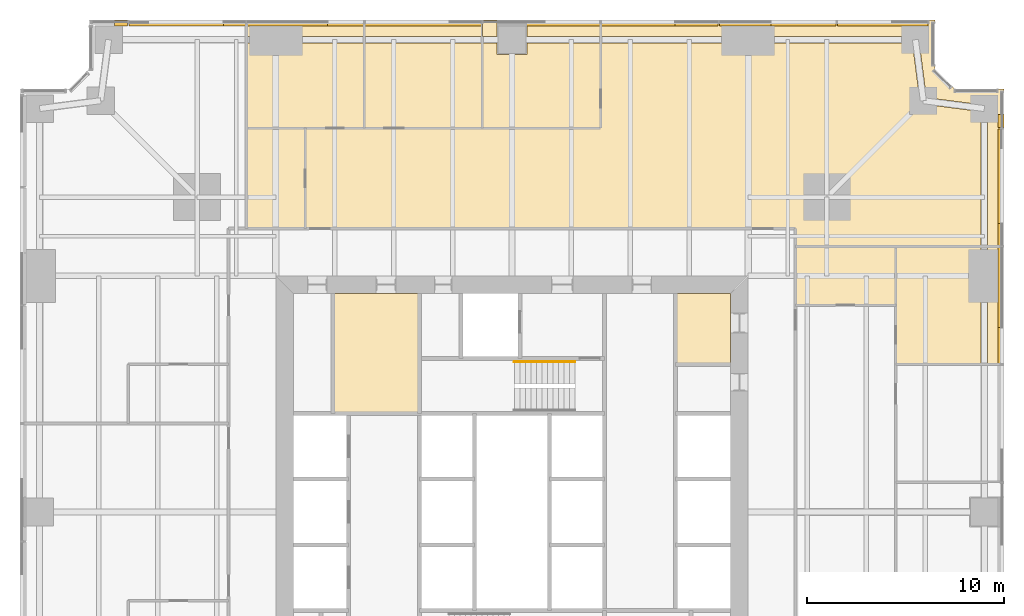
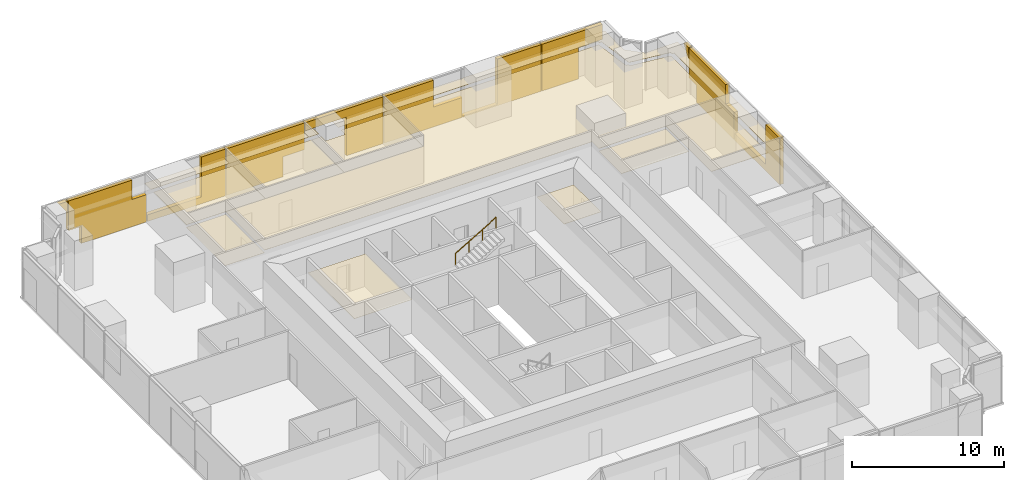
# One storey, part 14 of 14: 26 coverings, 1 railing.
"""IFC4 building model written with IfcOpenShell, lengths in metres."""

import ifcopenshell
import ifcopenshell.guid

model = None  # the IFC model being written
_history = None  # IfcOwnerHistory: only IFC2X3 demands one
_inside = {}  # id of a spatial element -> (the spatial element, [elements in it])
_under = {}  # id of a project, library or spatial element -> (it, [spatial elements below it])
_declared = {}  # id of a project -> (the project, [libraries it declares])
_typed = {}  # id of a type object -> (the type object, [elements of that type])
_made_of = {}  # id of a material, layer set ... -> (it, [elements and type objects made of it])


def new_model(schema):
    """Start an empty IFC model of exactly this schema.

    Asked for "IFC4X3", IfcOpenShell would pick the latest addendum, in which some entities
    have other attributes; the version numbers below select the first issue.
    IFC2X3 requires an IfcOwnerHistory on every rooted entity: one is made here for all.
    """
    global model, _history
    if schema == "IFC4X3":
        model = ifcopenshell.file(schema_version=(4, 3, 0, 0))
    else:
        model = ifcopenshell.file(schema=schema)
    _inside.clear()
    _under.clear()
    _declared.clear()
    _typed.clear()
    _made_of.clear()
    _history = None
    if model.schema == "IFC2X3":
        org = make("IfcOrganization", Name="unknown")
        user = make(
            "IfcPersonAndOrganization",
            ThePerson=make("IfcPerson", FamilyName="unknown"),
            TheOrganization=org,
        )
        app = make(
            "IfcApplication",
            ApplicationDeveloper=org,
            Version="unknown",
            ApplicationFullName="unknown",
            ApplicationIdentifier="unknown",
        )
        _history = make(
            "IfcOwnerHistory",
            OwningUser=user,
            OwningApplication=app,
            ChangeAction="ADDED",
            CreationDate=0,
        )
    return model


def make(cls, **values):
    """One entity of the class cls with the attributes given. An attribute that is None is left unset."""
    return model.create_entity(
        cls, **{name: value for name, value in values.items() if value is not None}
    )


def rooted(cls, **values):
    """An entity with a GlobalId (a new one), such as an element, a storey or a relation."""
    return make(cls, GlobalId=ifcopenshell.guid.new(), OwnerHistory=_history, **values)


def si_unit(unit_type, name, prefix=None):
    """IfcSIUnit, for example si_unit("LENGTHUNIT", "METRE", prefix="MILLI")."""
    return make("IfcSIUnit", UnitType=unit_type, Prefix=prefix, Name=name)


def assignment(units):
    """IfcUnitAssignment: the units of a project."""
    return None if units is None else make("IfcUnitAssignment", Units=units)


def point(xyz):
    """IfcCartesianPoint."""
    return None if xyz is None else make("IfcCartesianPoint", Coordinates=xyz)


def direction(xyz):
    """IfcDirection."""
    return None if xyz is None else make("IfcDirection", DirectionRatios=xyz)


def frame(location, z_axis=None, x_axis=None):
    """IfcAxis2Placement3D, a coordinate frame: its origin and axes. An axis left out is left unset."""
    return make(
        "IfcAxis2Placement3D",
        Location=point(location),
        Axis=direction(z_axis),
        RefDirection=direction(x_axis),
    )


def frame_2d(location, x_axis=None):
    """IfcAxis2Placement2D, a coordinate frame in the plane: its origin and x axis."""
    return make(
        "IfcAxis2Placement2D", Location=point(location), RefDirection=direction(x_axis)
    )


def origin():
    """The frame at (0, 0, 0) with its axes left unset."""
    return frame((0.0, 0.0, 0.0))


def origin_2d():
    """The frame at (0, 0) in the plane with its x axis left unset."""
    return frame_2d((0.0, 0.0))


def place(relative_to, where):
    """IfcLocalPlacement: puts the frame where relative to a parent placement (None: the world)."""
    return make(
        "IfcLocalPlacement", PlacementRelTo=relative_to, RelativePlacement=where
    )


def context(
    kind, dimensions, precision=None, world=None, true_north=None, identifier=None
):
    """IfcGeometricRepresentationContext, for example the 3D "Model" context."""
    return make(
        "IfcGeometricRepresentationContext",
        ContextIdentifier=identifier,
        ContextType=kind,
        CoordinateSpaceDimension=dimensions,
        Precision=precision,
        WorldCoordinateSystem=world,
        TrueNorth=true_north,
    )


def subcontext(parent, identifier, kind, view, scale=None):
    """IfcGeometricRepresentationSubContext, for example "Body" below "Model"."""
    return make(
        "IfcGeometricRepresentationSubContext",
        ContextIdentifier=identifier,
        ContextType=kind,
        ParentContext=parent,
        TargetScale=scale,
        TargetView=view,
    )


def project(units=None, contexts=None):
    """IfcProject with its units and contexts."""
    return rooted(
        "IfcProject",
        Name="project",
        RepresentationContexts=contexts,
        UnitsInContext=assignment(units),
    )


def spatial(cls, under=None, at=None, **own):
    """A site, building, storey or space (cls), placed at a placement, below another one or the project."""
    s = rooted(cls, ObjectPlacement=at, **own)
    if under is not None:
        _under.setdefault(under.id(), (under, []))[1].append(s)
    return s


def polyline(points):
    """IfcPolyline through the points."""
    return make("IfcPolyline", Points=[point(p) for p in points])


def profile(cls, at=None, kind="AREA", **sizes):
    """A parametric profile (cls). Its sizes go by their IFC names, for example OverallWidth=200.0."""
    return make(cls, ProfileType=kind, Position=at, **sizes)


def circle(**sizes):
    """IfcCircleProfileDef."""
    return profile("IfcCircleProfileDef", **sizes)


def outline(outer, holes=None, kind="AREA"):
    """IfcArbitraryClosedProfileDef: a profile drawn as a closed curve; with holes, ...WithVoids."""
    if holes is None:
        return make("IfcArbitraryClosedProfileDef", ProfileType=kind, OuterCurve=outer)
    return make(
        "IfcArbitraryProfileDefWithVoids",
        ProfileType=kind,
        OuterCurve=outer,
        InnerCurves=holes,
    )


def extrude(swept, where, along, depth):
    """IfcExtrudedAreaSolid: the profile swept, set in the frame where, extruded along a direction by depth."""
    return make(
        "IfcExtrudedAreaSolid",
        SweptArea=swept,
        Position=where,
        ExtrudedDirection=direction(along),
        Depth=depth,
    )


def shape(context_of_items, identifier, shape_type, items):
    """IfcShapeRepresentation: the items that make up one representation, for example the "Body"."""
    return make(
        "IfcShapeRepresentation",
        ContextOfItems=context_of_items,
        RepresentationIdentifier=identifier,
        RepresentationType=shape_type,
        Items=items,
    )


def material(Name=None, Category=None):
    """IfcMaterial."""
    return make("IfcMaterial", Name=Name, Category=Category)


def layer(
    of_material, thickness, ventilated=None, Name=None, Category=None, Priority=None
):
    """IfcMaterialLayer: one layer of a wall or slab, of a material (None: an air gap)."""
    return make(
        "IfcMaterialLayer",
        Material=of_material,
        LayerThickness=thickness,
        IsVentilated=ventilated,
        Name=Name,
        Category=Category,
        Priority=Priority,
    )


def layer_set(layers, Name=None):
    """IfcMaterialLayerSet."""
    return make("IfcMaterialLayerSet", MaterialLayers=layers, LayerSetName=Name)


def made_of(thing, what):
    """Note that an element or type object is made of a material, layer set ...; save() writes the relation."""
    if what is not None:
        _made_of.setdefault(what.id(), (what, []))[1].append(thing)
    return thing


def type_object(cls, material=None, **own):
    """A type object (cls), such as IfcWallType, which elements share."""
    return made_of(rooted(cls, **own), material)


def element(
    cls,
    number,
    at=None,
    inside=None,
    cuts=None,
    type_object=None,
    material=None,
    context=None,
    identifier="Body",
    shape_type=None,
    held_by="IfcProductDefinitionShape",
    body=None,
    shapes=None,
    **own,
):
    """One element of the class cls, such as IfcWall. Its Tag is "e" and its number.

    at: its placement. inside: the storey or other place that contains it. cuts: it is an
    opening in that element (IfcRelVoidsElement). A single representation is given by context,
    identifier, shape_type and body (its items); several are given by shapes. held_by: the class
    of the entity that holds the representations. save() writes the other relations.
    """
    e = rooted(cls, Tag="e%d" % number, ObjectPlacement=at, **own)
    if body is not None:
        shapes = [shape(context, identifier, shape_type, body)]
    if shapes is not None:
        e.Representation = make(held_by, Representations=shapes)
    if inside is not None:
        _inside.setdefault(inside.id(), (inside, []))[1].append(e)
    if cuts is not None:
        rooted(
            "IfcRelVoidsElement", RelatingBuildingElement=cuts, RelatedOpeningElement=e
        )
    if type_object is not None:
        _typed.setdefault(type_object.id(), (type_object, []))[1].append(e)
    return made_of(e, material)


def aggregate(whole, parts):
    """IfcRelAggregates: a whole, such as a stair, and the parts it consists of."""
    return rooted("IfcRelAggregates", RelatingObject=whole, RelatedObjects=parts)


def save(model, path):
    """Write the relations noted so far, then the file.

    IfcRelAggregates (storeys below a building ...), IfcRelContainedInSpatialStructure (elements
    in a storey), IfcRelDefinesByType, IfcRelAssociatesMaterial and IfcRelDeclares: one each for
    every whole, place, type object, material and project.
    """
    for whole, parts in _under.values():
        aggregate(whole, parts)
    for where, things in _inside.values():
        rooted(
            "IfcRelContainedInSpatialStructure",
            RelatedElements=things,
            RelatingStructure=where,
        )
    for kind, things in _typed.values():
        rooted("IfcRelDefinesByType", RelatedObjects=things, RelatingType=kind)
    for what, things in _made_of.values():
        rooted("IfcRelAssociatesMaterial", RelatedObjects=things, RelatingMaterial=what)
    for by, libraries in _declared.values():
        rooted("IfcRelDeclares", RelatingContext=by, RelatedDefinitions=libraries)
    model.write(path)


model = new_model("IFC4")

# Units and contexts
model_context = context("Model", 3, precision=1e-05, world=origin(), true_north=direction((0.0, 1.0)))
body_context = subcontext(model_context, "Body", "Model", "MODEL_VIEW")
ifc_project = project(units=[si_unit("LENGTHUNIT", "METRE"), si_unit("AREAUNIT", "SQUARE_METRE"), si_unit("VOLUMEUNIT", "CUBIC_METRE"), si_unit("PLANEANGLEUNIT", "RADIAN"), si_unit("MASSUNIT", "GRAM", prefix="KILO")], contexts=[model_context])

# Site, building, storey
site_placement = place(None, origin())
site = spatial("IfcSite", under=ifc_project, at=site_placement, CompositionType="ELEMENT")
building_placement = place(site_placement, origin())
building = spatial("IfcBuilding", under=site, at=building_placement, Name="Fenwick Lantern Interchange", CompositionType="ELEMENT")
storey_placement = place(building_placement, frame((0.0, 0.0, 83.0)))
storey = spatial("IfcBuildingStorey", under=building, at=storey_placement, Name="L19", CompositionType="ELEMENT", Elevation=83.0)

# Coverings
ifc_material_1 = material(Name="Mineral fibre acoustic tile on suspended grid")
ifc_layer_1 = layer(ifc_material_1, 0.02001953125)
ifc_layer_set_1 = layer_set([ifc_layer_1], Name="ACOUSTIC TILE CEILING 20")
covering_type_1 = type_object("IfcCoveringType", Name="ACOUSTIC TILE CEILING 20", PredefinedType="CEILING", material=ifc_layer_set_1)
covering_1_placement = place(storey_placement, frame((0.0, 0.0, 2.89990234375)))
element("IfcCovering", 1, at=covering_1_placement, inside=storey, type_object=covering_type_1, Name="Office ceiling", PredefinedType="CEILING", context=body_context, shape_type="SweptSolid", body=[
    extrude(outline(polyline([(44.5, 32.5), (48.82763671875, 32.5), (48.82763671875, 37.0), (48.82763671875, 38.5), (44.5, 38.5), (44.5, 32.5)])), origin(), (0.0, 0.0, 1.0), 0.02001953125),
])
covering_2_placement = place(storey_placement, frame((0.0, 0.0, 2.89990234375)))
element("IfcCovering", 2, at=covering_2_placement, inside=storey, type_object=covering_type_1, Name="Office ceiling", PredefinedType="CEILING", context=body_context, shape_type="SweptSolid", body=[
    extrude(outline(polyline([(50.0, 38.5), (49.17236328125, 38.5), (49.17236328125, 37.0), (49.17236328125, 32.5), (50.0, 32.5), (50.0, 38.5)])), origin(), (0.0, 0.0, 1.0), 0.02001953125),
])
covering_3_placement = place(storey_placement, frame((0.0, 0.0, 2.89990234375)))
element("IfcCovering", 3, at=covering_3_placement, inside=storey, type_object=covering_type_1, Name="Office suite ceiling", PredefinedType="CEILING", context=body_context, shape_type="SweptSolid", body=[
    extrude(outline(polyline([(39.39990234375, 38.5), (48.82763671875, 38.5), (48.82763671875, 45.348388671875), (45.8779296875, 45.72900390625), (45.89990234375, 45.89990234375), (45.72900390625, 45.8779296875), (45.348388671875, 48.82763671875), (37.0, 48.82763671875), (29.5, 48.82763671875), (29.5, 44.5), (14.5, 44.5), (14.5, 39.39990234375), (39.39990234375, 39.39990234375), (39.39990234375, 38.5)])), origin(), (0.0, 0.0, 1.0), 0.02001953125),
])
covering_4_placement = place(storey_placement, frame((0.0, 0.0, 2.89990234375)))
element("IfcCovering", 4, at=covering_4_placement, inside=storey, type_object=covering_type_1, Name="Office suite ceiling", PredefinedType="CEILING", context=body_context, shape_type="SweptSolid", body=[
    extrude(outline(polyline([(46.5, 50.0), (29.5, 50.0), (29.5, 49.17236328125), (37.0, 49.17236328125), (45.5, 49.17236328125), (45.5, 49.0), (45.6708984375, 49.02197265625), (46.053955078125, 46.053955078125), (49.02197265625, 45.6708984375), (49.0, 45.5), (49.17236328125, 45.5), (49.17236328125, 38.5), (50.0, 38.5), (50.0, 46.5), (47.5, 46.5), (46.5, 47.5), (46.5, 50.0)])), origin(), (0.0, 0.0, 1.0), 0.02001953125),
])
covering_5_placement = place(storey_placement, frame((0.0, 0.0, 2.89990234375)))
element("IfcCovering", 5, at=covering_5_placement, inside=storey, type_object=covering_type_1, Name="Office ceiling", PredefinedType="CEILING", context=body_context, shape_type="SweptSolid", body=[
    extrude(outline(polyline([(29.5, 44.5), (29.5, 48.82763671875), (25.75, 48.82763671875), (25.75, 48.25), (24.25, 48.25), (24.25, 48.82763671875), (23.5, 48.82763671875), (23.5, 44.5), (29.5, 44.5)])), origin(), (0.0, 0.0, 1.0), 0.02001953125),
])
covering_6_placement = place(storey_placement, frame((0.0, 0.0, 2.89990234375)))
element("IfcCovering", 6, at=covering_6_placement, inside=storey, type_object=covering_type_1, Name="Office ceiling", PredefinedType="CEILING", context=body_context, shape_type="SweptSolid", body=[
    extrude(outline(polyline([(29.5, 49.17236328125), (29.5, 50.0), (25.75, 50.0), (25.75, 49.17236328125), (29.5, 49.17236328125)])), origin(), (0.0, 0.0, 1.0), 0.02001953125),
])
covering_7_placement = place(storey_placement, frame((0.0, 0.0, 2.89990234375)))
element("IfcCovering", 7, at=covering_7_placement, inside=storey, type_object=covering_type_1, Name="Office ceiling", PredefinedType="CEILING", context=body_context, shape_type="SweptSolid", body=[
    extrude(outline(polyline([(23.5, 50.0), (23.5, 49.17236328125), (24.25, 49.17236328125), (24.25, 50.0), (23.5, 50.0)])), origin(), (0.0, 0.0, 1.0), 0.02001953125),
])
covering_8_placement = place(storey_placement, frame((0.0, 0.0, 2.89990234375)))
element("IfcCovering", 8, at=covering_8_placement, inside=storey, type_object=covering_type_1, Name="Meeting room ceiling", PredefinedType="CEILING", context=body_context, shape_type="SweptSolid", body=[
    extrude(outline(polyline([(23.5, 44.5), (23.5, 48.82763671875), (17.5, 48.82763671875), (17.5, 44.5), (23.5, 44.5)])), origin(), (0.0, 0.0, 1.0), 0.02001953125),
])
covering_9_placement = place(storey_placement, frame((0.0, 0.0, 2.89990234375)))
element("IfcCovering", 9, at=covering_9_placement, inside=storey, type_object=covering_type_1, Name="Meeting room ceiling", PredefinedType="CEILING", context=body_context, shape_type="SweptSolid", body=[
    extrude(outline(polyline([(17.5, 50.0), (17.5, 49.17236328125), (23.5, 49.17236328125), (23.5, 50.0), (17.5, 50.0)])), origin(), (0.0, 0.0, 1.0), 0.02001953125),
])
covering_10_placement = place(storey_placement, frame((0.0, 0.0, 2.89990234375)))
element("IfcCovering", 10, at=covering_10_placement, inside=storey, type_object=covering_type_1, Name="Office ceiling", PredefinedType="CEILING", context=body_context, shape_type="SweptSolid", body=[
    extrude(outline(polyline([(17.5, 44.5), (17.5, 48.82763671875), (13.0, 48.82763671875), (11.5, 48.82763671875), (11.5, 44.5), (17.5, 44.5)])), origin(), (0.0, 0.0, 1.0), 0.02001953125),
])
covering_11_placement = place(storey_placement, frame((0.0, 0.0, 2.89990234375)))
element("IfcCovering", 11, at=covering_11_placement, inside=storey, type_object=covering_type_1, Name="Office ceiling", PredefinedType="CEILING", context=body_context, shape_type="SweptSolid", body=[
    extrude(outline(polyline([(11.5, 50.0), (11.5, 49.17236328125), (13.0, 49.17236328125), (17.5, 49.17236328125), (17.5, 50.0), (11.5, 50.0)])), origin(), (0.0, 0.0, 1.0), 0.02001953125),
])
ifc_material_2 = material(Name="Granite cladding, warm grey flamed finish, on aluminium carrier frame", Category="masonry")
ifc_layer_2 = layer(ifc_material_2, 0.300048828125)
ifc_layer_set_2 = layer_set([ifc_layer_2], Name="BRACE CASING PANEL 300")
covering_type_2 = type_object("IfcCoveringType", Name="BRACE CASING PANEL 300", PredefinedType="CLADDING", material=ifc_layer_set_2)
covering_12_placement = place(storey_placement, frame((49.89990234375, 3.60009765625, 0.0), z_axis=(0.0, 0.0, 1.0), x_axis=(0.0, 1.0, 0.0)))
element("IfcCovering", 12, at=covering_12_placement, inside=storey, type_object=covering_type_2, Name="Brace casing 05 bay 05a", PredefinedType="CLADDING", context=body_context, shape_type="SweptSolid", body=[
    extrude(outline(polyline([(28.9326171875, 0.0), (34.867431640625, 0.0), (34.867431640625, 0.5400390625), (30.762451171875, 0.5400390625), (30.762451171875, 3.75), (28.9326171875, 3.75), (28.9326171875, 0.0)])), frame((0.0, 0.2001953125, 0.0), z_axis=(0.0, -1.0, 0.0), x_axis=(1.0, 0.0, 0.0)), (0.0, 0.0, 1.0), 0.300048828125),
])
covering_13_placement = place(storey_placement, frame((49.89990234375, 3.60009765625, 0.0), z_axis=(0.0, 0.0, 1.0), x_axis=(0.0, 1.0, 0.0)))
element("IfcCovering", 13, at=covering_13_placement, inside=storey, type_object=covering_type_2, Name="Brace casing 05 bay 06a", PredefinedType="CLADDING", context=body_context, shape_type="SweptSolid", body=[
    extrude(outline(polyline([(34.9326171875, 0.0), (39.88720703125, 0.0), (39.88720703125, 1.370361328125), (40.867431640625, 1.370361328125), (40.867431640625, 3.75), (36.047607421875, 3.75), (36.047607421875, 2.190185546875), (34.9326171875, 2.190185546875), (34.9326171875, 0.0)])), frame((0.0, 0.2001953125, 0.0), z_axis=(0.0, -1.0, 0.0), x_axis=(1.0, 0.0, 0.0)), (0.0, 0.0, 1.0), 0.300048828125),
])
covering_14_placement = place(storey_placement, frame((49.89990234375, 3.60009765625, 2.83203125), z_axis=(0.0, 0.0, 1.0), x_axis=(0.0, 1.0, 0.0)))
element("IfcCovering", 14, at=covering_14_placement, inside=storey, type_object=covering_type_2, Name="Brace casing 05 bay 07a", PredefinedType="CLADDING", context=body_context, shape_type="SweptSolid", body=[
    extrude(outline(polyline([(40.9326171875, 0.0), (41.589111328125, 0.91796875), (40.9326171875, 0.91796875), (40.9326171875, 0.0)])), frame((0.0, 0.2001953125, 0.0), z_axis=(0.0, -1.0, 0.0), x_axis=(1.0, 0.0, 0.0)), (0.0, 0.0, 1.0), 0.300048828125),
])
covering_15_placement = place(storey_placement, frame((46.39990234375, 49.89990234375, 0.0), z_axis=(0.0, 0.0, 1.0), x_axis=(-1.0, 0.0, 0.0)))
element("IfcCovering", 15, at=covering_15_placement, inside=storey, type_object=covering_type_2, Name="Brace casing 09 bay 00a", PredefinedType="CLADDING", context=body_context, shape_type="SweptSolid", body=[
    extrude(outline(polyline([(2.080078125, 0.0), (4.867431640625, 0.0), (4.867431640625, 3.75), (0.264892578125, 3.75), (0.264892578125, 2.534912109375), (2.080078125, 2.534912109375), (2.080078125, 0.0)])), frame((0.0, 0.2001953125, 0.0), z_axis=(0.0, -1.0, 0.0), x_axis=(1.0, 0.0, 0.0)), (0.0, 0.0, 1.0), 0.300048828125),
])
covering_16_placement = place(storey_placement, frame((46.39990234375, 49.89990234375, 0.0), z_axis=(0.0, 0.0, 1.0), x_axis=(-1.0, 0.0, 0.0)))
element("IfcCovering", 16, at=covering_16_placement, inside=storey, type_object=covering_type_2, Name="Brace casing 09 bay 01a", PredefinedType="CLADDING", context=body_context, shape_type="SweptSolid", body=[
    extrude(outline(polyline([(4.9326171875, 0.0), (10.867431640625, 0.0), (10.867431640625, 0.093505859375), (8.251953125, 0.093505859375), (8.251953125, 3.75), (4.9326171875, 3.75), (4.9326171875, 0.0)])), frame((0.0, 0.2001953125, 0.0), z_axis=(0.0, -1.0, 0.0), x_axis=(1.0, 0.0, 0.0)), (0.0, 0.0, 1.0), 0.300048828125),
])
covering_17_placement = place(storey_placement, frame((46.39990234375, 49.89990234375, 0.0), z_axis=(0.0, 0.0, 1.0), x_axis=(-1.0, 0.0, 0.0)))
element("IfcCovering", 17, at=covering_17_placement, inside=storey, type_object=covering_type_2, Name="Brace casing 09 bay 02a", PredefinedType="CLADDING", context=body_context, shape_type="SweptSolid", body=[
    extrude(outline(polyline([(10.9326171875, 0.0), (16.867431640625, 0.0), (16.867431640625, 3.75), (13.107421875, 3.75), (13.107421875, 1.599365234375), (10.9326171875, 1.599365234375), (10.9326171875, 0.0)])), frame((0.0, 0.2001953125, 0.0), z_axis=(0.0, -1.0, 0.0), x_axis=(1.0, 0.0, 0.0)), (0.0, 0.0, 1.0), 0.300048828125),
])
covering_18_placement = place(storey_placement, frame((46.39990234375, 49.89990234375, 0.0), z_axis=(0.0, 0.0, 1.0), x_axis=(-1.0, 0.0, 0.0)))
element("IfcCovering", 18, at=covering_18_placement, inside=storey, type_object=covering_type_2, Name="Brace casing 09 bay 03a", PredefinedType="CLADDING", context=body_context, shape_type="SweptSolid", body=[
    extrude(outline(polyline([(16.9326171875, 0.0), (19.737548828125, 0.0), (19.737548828125, 3.09912109375), (22.867431640625, 3.09912109375), (22.867431640625, 3.75), (16.9326171875, 3.75), (16.9326171875, 0.0)])), frame((0.0, 0.2001953125, 0.0), z_axis=(0.0, -1.0, 0.0), x_axis=(1.0, 0.0, 0.0)), (0.0, 0.0, 1.0), 0.300048828125),
])
covering_19_placement = place(storey_placement, frame((46.39990234375, 49.89990234375, 0.0), z_axis=(0.0, 0.0, 1.0), x_axis=(-1.0, 0.0, 0.0)))
element("IfcCovering", 19, at=covering_19_placement, inside=storey, type_object=covering_type_2, Name="Brace casing 09 bay 04a", PredefinedType="CLADDING", context=body_context, shape_type="SweptSolid", body=[
    extrude(outline(polyline([(24.5625, 0.0), (28.867431640625, 0.0), (28.867431640625, 3.75), (22.9326171875, 3.75), (22.9326171875, 1.61328125), (24.5625, 1.61328125), (24.5625, 0.0)])), frame((0.0, 0.2001953125, 0.0), z_axis=(0.0, -1.0, 0.0), x_axis=(1.0, 0.0, 0.0)), (0.0, 0.0, 1.0), 0.300048828125),
])
covering_20_placement = place(storey_placement, frame((46.39990234375, 49.89990234375, 0.0), z_axis=(0.0, 0.0, 1.0), x_axis=(-1.0, 0.0, 0.0)))
element("IfcCovering", 20, at=covering_20_placement, inside=storey, type_object=covering_type_2, Name="Brace casing 09 bay 05a", PredefinedType="CLADDING", context=body_context, shape_type="SweptSolid", body=[
    extrude(outline(polyline([(28.9326171875, 0.0), (34.867431640625, 0.0), (34.867431640625, 0.5400390625), (30.762451171875, 0.5400390625), (30.762451171875, 3.75), (28.9326171875, 3.75), (28.9326171875, 0.0)])), frame((0.0, 0.2001953125, 0.0), z_axis=(0.0, -1.0, 0.0), x_axis=(1.0, 0.0, 0.0)), (0.0, 0.0, 1.0), 0.300048828125),
])
covering_21_placement = place(storey_placement, frame((46.39990234375, 49.89990234375, 0.0), z_axis=(0.0, 0.0, 1.0), x_axis=(-1.0, 0.0, 0.0)))
element("IfcCovering", 21, at=covering_21_placement, inside=storey, type_object=covering_type_2, Name="Brace casing 09 bay 06a", PredefinedType="CLADDING", context=body_context, shape_type="SweptSolid", body=[
    extrude(outline(polyline([(34.9326171875, 0.0), (39.88720703125, 0.0), (39.88720703125, 1.370361328125), (40.867431640625, 1.370361328125), (40.867431640625, 3.75), (36.047607421875, 3.75), (36.047607421875, 2.190185546875), (34.9326171875, 2.190185546875), (34.9326171875, 0.0)])), frame((0.0, 0.2001953125, 0.0), z_axis=(0.0, -1.0, 0.0), x_axis=(1.0, 0.0, 0.0)), (0.0, 0.0, 1.0), 0.300048828125),
])
covering_22_placement = place(storey_placement, frame((46.39990234375, 49.89990234375, 2.83203125), z_axis=(0.0, 0.0, 1.0), x_axis=(-1.0, 0.0, 0.0)))
element("IfcCovering", 22, at=covering_22_placement, inside=storey, type_object=covering_type_2, Name="Brace casing 09 bay 07a", PredefinedType="CLADDING", context=body_context, shape_type="SweptSolid", body=[
    extrude(outline(polyline([(40.9326171875, 0.0), (41.589111328125, 0.91796875), (40.9326171875, 0.91796875), (40.9326171875, 0.0)])), frame((0.0, 0.2001953125, 0.0), z_axis=(0.0, -1.0, 0.0), x_axis=(1.0, 0.0, 0.0)), (0.0, 0.0, 1.0), 0.300048828125),
])

# Railing
ifc_material_3 = material(Name="Stainless steel handrail", Category="steel")
railing_type = type_object("IfcRailingType", Name="HANDRAIL 900", PredefinedType="HANDRAIL", material=ifc_material_3)
railing_placement = place(storey_placement, frame((25.1201171875, 32.6259765625, 2.166748046875)))
element("IfcRailing", 23, at=railing_placement, inside=storey, type_object=railing_type, Name="L19/STAIR/ST2/HR2", PredefinedType="HANDRAIL", context=body_context, shape_type="SweptSolid", body=[
    extrude(circle(Radius=0.02392578125, at=origin_2d()), frame((0.0, 0.0, 0.8759765625), z_axis=(0.859290745958, 0.0, 0.51148745235), x_axis=(0.0, 1.0, 0.0)), (0.0, 0.0, 1.0), 3.584228515625),
    extrude(circle(Radius=0.02099609375, at=origin_2d()), origin(), (0.0, 0.0, 1.0), 0.851806640625),
    extrude(circle(Radius=0.02099609375, at=origin_2d()), frame((1.026611328125, 0.0, 0.611083984375)), (0.0, 0.0, 1.0), 0.851806640625),
    extrude(circle(Radius=0.02099609375, at=origin_2d()), frame((2.05322265625, 0.0, 1.22216796875)), (0.0, 0.0, 1.0), 0.851806640625),
    extrude(circle(Radius=0.02099609375, at=origin_2d()), frame((3.079833984375, 0.0, 1.833251953125)), (0.0, 0.0, 1.0), 0.851806640625),
])

# Coverings
ifc_material_4 = material(Name="Moisture resistant gypsum board on suspended frame, painted")
ifc_layer_3 = layer(ifc_material_4, 0.014892578125)
ifc_layer_set_3 = layer_set([ifc_layer_3], Name="MOISTURE RESISTANT CEILING 15")
covering_type_3 = type_object("IfcCoveringType", Name="MOISTURE RESISTANT CEILING 15", PredefinedType="CEILING", material=ifc_layer_set_3)
covering_23_placement = place(storey_placement, frame((0.0, 0.0, 2.60009765625)))
element("IfcCovering", 24, at=covering_23_placement, inside=storey, type_object=covering_type_3, Name="Women's WC ceiling", PredefinedType="CEILING", context=body_context, shape_type="SweptSolid", body=[
    extrude(outline(polyline([(20.300048828125, 36.10009765625), (15.89990234375, 36.10009765625), (15.89990234375, 30.0), (20.300048828125, 30.0), (20.300048828125, 36.10009765625)])), origin(), (0.0, 0.0, 1.0), 0.014892578125),
])
covering_24_placement = place(storey_placement, frame((0.0, 0.0, 2.60009765625)))
element("IfcCovering", 25, at=covering_24_placement, inside=storey, type_object=covering_type_3, Name="Accessible WC and shower ceiling", PredefinedType="CEILING", context=body_context, shape_type="SweptSolid", body=[
    extrude(outline(polyline([(36.10009765625, 36.10009765625), (33.300048828125, 36.10009765625), (33.300048828125, 32.5), (36.10009765625, 32.5), (36.10009765625, 36.10009765625)])), origin(), (0.0, 0.0, 1.0), 0.014892578125),
])
covering_25_placement = place(storey_placement, frame((0.0, 0.0, 2.699951171875)))
element("IfcCovering", 26, at=covering_25_placement, inside=storey, type_object=covering_type_3, Name="Pantry ceiling", PredefinedType="CEILING", context=body_context, shape_type="SweptSolid", body=[
    extrude(outline(polyline([(44.5, 35.5), (44.5, 38.5), (39.39990234375, 38.5), (39.39990234375, 35.5), (44.5, 35.5)])), origin(), (0.0, 0.0, 1.0), 0.01513671875),
])
covering_26_placement = place(storey_placement, frame((0.0, 0.0, 2.699951171875)))
element("IfcCovering", 27, at=covering_26_placement, inside=storey, type_object=covering_type_3, Name="Pantry ceiling", PredefinedType="CEILING", context=body_context, shape_type="SweptSolid", body=[
    extrude(outline(polyline([(14.5, 44.5), (11.5, 44.5), (11.5, 39.39990234375), (14.5, 39.39990234375), (14.5, 44.5)])), origin(), (0.0, 0.0, 1.0), 0.01513671875),
])

save(model, "model.ifc")
